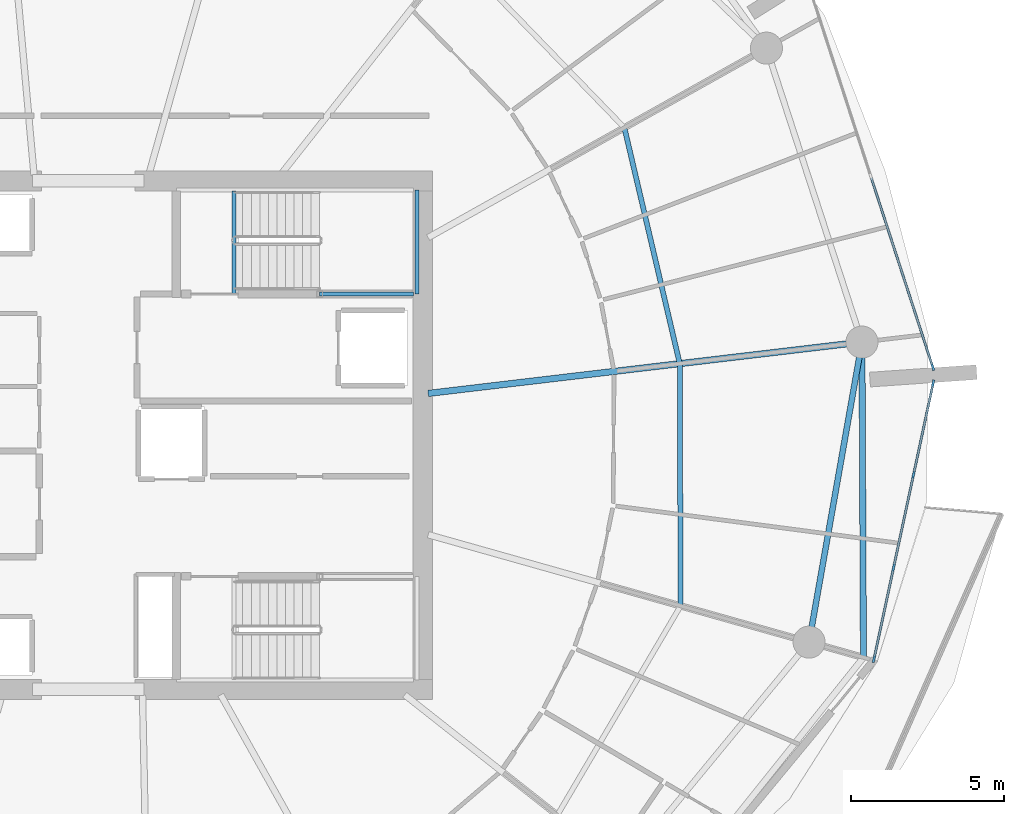
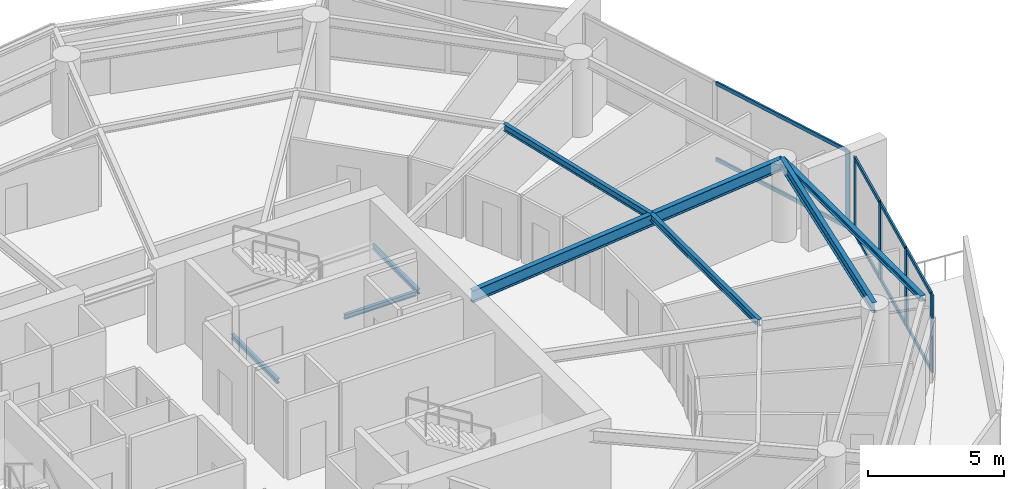
# One storey, part 7 of 20: 13 members, 8 beams, 2 elements without a shape of their own.
"""IFC4 building model written with IfcOpenShell, lengths in metres."""

from ifc_helpers import new_model, si_unit, direction, frame, origin, origin_2d, place, context, subcontext, project, spatial, rectangle, i_section, extrude, material, layer, layer_set, material_profile, profile_set, type_object, element, aggregate, save


model = new_model("IFC4")

# Units and contexts
model_context = context("Model", 3, precision=1e-05, world=origin(), true_north=direction((0.0, 1.0)))
body_context = subcontext(model_context, "Body", "Model", "MODEL_VIEW")
ifc_project = project(units=[si_unit("LENGTHUNIT", "METRE"), si_unit("AREAUNIT", "SQUARE_METRE"), si_unit("VOLUMEUNIT", "CUBIC_METRE"), si_unit("PLANEANGLEUNIT", "RADIAN"), si_unit("MASSUNIT", "GRAM", prefix="KILO")], contexts=[model_context])

# Site, building, storey
site_placement = place(None, origin())
site = spatial("IfcSite", under=ifc_project, at=site_placement, CompositionType="ELEMENT")
building_placement = place(site_placement, origin())
building = spatial("IfcBuilding", under=site, at=building_placement, Name="Kazma Halo Residences", CompositionType="ELEMENT")
storey_placement = place(building_placement, frame((0.0, 0.0, 214.050048828125)))
storey = spatial("IfcBuildingStorey", under=building, at=storey_placement, Name="L54", CompositionType="ELEMENT", Elevation=214.050048828125)

# Beams
ifc_material_1 = material(Name="Steel S355", Category="steel")
ifc_material_profile_1 = material_profile(ifc_material_1, i_section(OverallWidth=0.201904296875, OverallDepth=0.2470703125, WebThickness=0.00732421875, FlangeThickness=0.010986328125, FilletRadius=0.011962890625, at=origin_2d()), Name="W250x49.1")
ifc_profile_set_1 = profile_set([ifc_material_profile_1], Name="Steel S355")
beam_type_1 = type_object("IfcBeamType", Name="BM-BAL-CANT", PredefinedType="BEAM", material=ifc_profile_set_1)
beam_1_placement = place(storey_placement, frame((73.80029296875, 34.723388671875, 3.37646484375), z_axis=(-0.004705663334, 0.999988928305, 0.0), x_axis=(-0.999988928305, -0.004705663334, 0.0)))
element("IfcBeam", 1, at=beam_1_placement, inside=storey, type_object=beam_type_1, Name="L54 wave-balcony tie beam 15", PredefinedType="BEAM", context=body_context, shape_type="SweptSolid", body=[
    extrude(i_section(OverallWidth=0.201904296875, OverallDepth=0.2470703125, WebThickness=0.00732421875, FlangeThickness=0.010986328125, FilletRadius=0.011962890625, at=origin_2d()), origin(), (0.0, 0.0, 1.0), 10.324462890625),
])
ifc_material_profile_2 = material_profile(ifc_material_1, i_section(OverallWidth=0.208984375, OverallDepth=0.532958984375, WebThickness=0.01025390625, FlangeThickness=0.015625, FilletRadius=0.01611328125, at=origin_2d()), Name="W530x92")
ifc_profile_set_2 = profile_set([ifc_material_profile_2], Name="Steel S355")
beam_type_2 = type_object("IfcBeamType", Name="BM-RAD-W530", PredefinedType="BEAM", material=ifc_profile_set_2)
beam_2_placement = place(storey_placement, frame((59.550048828125, 43.366943359375, 3.2333984375), z_axis=(0.993068204292, 0.117539532174, 0.0), x_axis=(-0.117539532174, 0.993068204292, 0.0)))
element("IfcBeam", 2, at=beam_2_placement, inside=storey, type_object=beam_type_2, Name="L54 radial floor beam 16", PredefinedType="BEAM", context=body_context, shape_type="SweptSolid", body=[
    extrude(i_section(OverallWidth=0.208984375, OverallDepth=0.532958984375, WebThickness=0.01025390625, FlangeThickness=0.015625, FilletRadius=0.01611328125, at=origin_2d()), origin(), (0.0, 0.0, 1.0), 14.30078125),
])
ifc_material_profile_3 = material_profile(ifc_material_1, i_section(OverallWidth=0.1650390625, OverallDepth=0.31005859375, WebThickness=0.005859375, FlangeThickness=0.009765625, FilletRadius=0.011962890625, at=origin_2d()), Name="W310x38.7")
ifc_profile_set_3 = profile_set([ifc_material_profile_3], Name="Steel S355")
beam_type_3 = type_object("IfcBeamType", Name="BM-SEC-W310B", PredefinedType="JOIST", material=ifc_profile_set_3)
beam_3_placement = place(storey_placement, frame((67.815185546875, 36.41162109375, 3.344970703125), z_axis=(-0.003540400199, 0.999993732764, 0.0), x_axis=(-0.999993732764, -0.003540400199, 0.0)))
element("IfcBeam", 3, at=beam_3_placement, inside=storey, type_object=beam_type_3, Name="L54 circumferential floor joist 15", PredefinedType="JOIST", context=body_context, shape_type="SweptSolid", body=[
    extrude(i_section(OverallWidth=0.1650390625, OverallDepth=0.31005859375, WebThickness=0.005859375, FlangeThickness=0.009765625, FilletRadius=0.011962890625, at=origin_2d()), origin(), (0.0, 0.0, 1.0), 7.93017578125),
])
beam_4_placement = place(storey_placement, frame((67.787109375, 44.341796875, 3.344970703125), z_axis=(-0.228572787048, 0.973526826041, 0.0), x_axis=(-0.973526826041, -0.228572787048, 0.0)))
element("IfcBeam", 4, at=beam_4_placement, inside=storey, type_object=beam_type_3, Name="L54 circumferential floor joist 16", PredefinedType="JOIST", context=body_context, shape_type="SweptSolid", body=[
    extrude(i_section(OverallWidth=0.1650390625, OverallDepth=0.31005859375, WebThickness=0.005859375, FlangeThickness=0.009765625, FilletRadius=0.011962890625, at=origin_2d()), origin(), (0.0, 0.0, 1.0), 7.933837890625),
])
ifc_material_profile_4 = material_profile(ifc_material_1, i_section(OverallWidth=0.18994140625, OverallDepth=0.45703125, WebThickness=0.009033203125, FlangeThickness=0.014404296875, FilletRadius=0.01611328125, at=origin_2d()), Name="W460x74")
ifc_profile_set_4 = profile_set([ifc_material_profile_4], Name="Steel S355")
beam_type_4 = type_object("IfcBeamType", Name="BM-SPN-W460", PredefinedType="BEAM", material=ifc_profile_set_4)
beam_5_placement = place(storey_placement, frame((72.019775390625, 35.2255859375, 3.271484375), z_axis=(0.173648484202, 0.984807698962, 0.0), x_axis=(-0.984807698962, 0.173648484202, 0.0)))
element("IfcBeam", 5, at=beam_5_placement, inside=storey, type_object=beam_type_4, Name="L54 perimeter ring beam 15", PredefinedType="BEAM", context=body_context, shape_type="SweptSolid", body=[
    extrude(i_section(OverallWidth=0.18994140625, OverallDepth=0.45703125, WebThickness=0.009033203125, FlangeThickness=0.014404296875, FilletRadius=0.01611328125, at=origin_2d()), origin(), (0.0, 0.0, 1.0), 9.973876953125),
])
ifc_material_profile_5 = material_profile(ifc_material_1, i_section(OverallWidth=0.133056640625, OverallDepth=0.20703125, WebThickness=0.005859375, FlangeThickness=0.00830078125, FilletRadius=0.010009765625, at=origin_2d()), Name="W200x26.6")
ifc_profile_set_5 = profile_set([ifc_material_profile_5], Name="Steel S355")
beam_type_5 = type_object("IfcBeamType", Name="BM-TRIM-W200", PredefinedType="BEAM", material=ifc_profile_set_5)
beam_6_placement = place(storey_placement, frame((53.199951171875, 46.6201171875, -0.360107421875), z_axis=(0.0, 1.0, 0.0), x_axis=(-1.0, 0.0, 0.0)))
element("IfcBeam", 6, at=beam_6_placement, inside=storey, type_object=beam_type_5, Name="L54 ST-02 floor landing support beam", PredefinedType="BEAM", context=body_context, shape_type="SweptSolid", body=[
    extrude(i_section(OverallWidth=0.133056640625, OverallDepth=0.20703125, WebThickness=0.005859375, FlangeThickness=0.00830078125, FilletRadius=0.010009765625, at=origin_2d()), origin(), (0.0, 0.0, 1.0), 3.3798828125),
])
beam_7_placement = place(storey_placement, frame((56.0, 46.6201171875, 1.570068359375), z_axis=(1.0, 0.0, 0.0), x_axis=(0.0, 1.0, 0.0)))
element("IfcBeam", 7, at=beam_7_placement, inside=storey, type_object=beam_type_5, Name="L54 ST-02 landing south wall ledger", PredefinedType="BEAM", context=body_context, shape_type="SweptSolid", body=[
    extrude(i_section(OverallWidth=0.133056640625, OverallDepth=0.20703125, WebThickness=0.005859375, FlangeThickness=0.00830078125, FilletRadius=0.010009765625, at=origin_2d()), origin(), (0.0, 0.0, 1.0), 3.070068359375),
])
beam_8_placement = place(storey_placement, frame((59.18994140625, 46.6201171875, 1.570068359375), z_axis=(0.0, 1.0, 0.0), x_axis=(-1.0, 0.0, 0.0)))
element("IfcBeam", 8, at=beam_8_placement, inside=storey, type_object=beam_type_5, Name="L54 ST-02 landing end wall ledger", PredefinedType="BEAM", context=body_context, shape_type="SweptSolid", body=[
    extrude(i_section(OverallWidth=0.133056640625, OverallDepth=0.20703125, WebThickness=0.005859375, FlangeThickness=0.00830078125, FilletRadius=0.010009765625, at=origin_2d()), origin(), (0.0, 0.0, 1.0), 3.39990234375),
])

# Curtain wall, members
ifc_material_2 = material(Name="Aluminium AW-6063 T6 and Triple-Silver Low-E Glass", Category="aluminium")
ifc_layer = layer(ifc_material_2, 0.219970703125)
ifc_layer_set = layer_set([ifc_layer], Name="Aluminium AW-6063 T6 and Triple-Silver Low-E Glass")
curtain_wall_type = type_object("IfcCurtainWallType", Name="CW-SYS-4", PredefinedType="NOTDEFINED", material=ifc_layer_set)
curtain_wall_1_placement = place(storey_placement, origin())
curtain_wall_1 = element("IfcCurtainWall", 9, at=curtain_wall_1_placement, inside=storey, type_object=curtain_wall_type, Name="L54 unitised curtain wall B15", PredefinedType="NOTDEFINED")
ifc_material_3 = material(Name="Aluminium AW-6063 T6", Category="aluminium")
ifc_material_profile_6 = material_profile(ifc_material_3, rectangle(XDim=0.074951171875, YDim=0.219970703125, at=origin_2d()), Name="CWM-75x220")
ifc_profile_set_6 = profile_set([ifc_material_profile_6], Name="Aluminium AW-6063 T6")
member_type_1 = type_object("IfcMemberType", Name="CW-SYS-4-MUL", PredefinedType="MULLION", material=ifc_profile_set_6)
member_1_placement = place(storey_placement, frame((74.1435546875, 34.665771484375, 0.0), z_axis=(0.0, 0.0, 1.0), x_axis=(-0.977768017212, 0.209689543175, 0.0)))
member_1 = element("IfcMember", 10, at=member_1_placement, type_object=member_type_1, Name="CWS-4 mullion 1", PredefinedType="MULLION", context=body_context, shape_type="SweptSolid", body=[
    extrude(rectangle(XDim=0.074951171875, YDim=0.219970703125, at=origin_2d()), origin(), (0.0, 0.0, 1.0), 3.5),
])
member_2_placement = place(storey_placement, frame((74.787109375, 37.6669921875, 0.0), z_axis=(0.0, 0.0, 1.0), x_axis=(-0.977768017212, 0.209689543175, 0.0)))
member_2 = element("IfcMember", 11, at=member_2_placement, type_object=member_type_1, Name="CWS-4 mullion 2", PredefinedType="MULLION", context=body_context, shape_type="SweptSolid", body=[
    extrude(rectangle(XDim=0.074951171875, YDim=0.219970703125, at=origin_2d()), origin(), (0.0, 0.0, 1.0), 3.5),
])
member_3_placement = place(storey_placement, frame((75.438720703125, 40.704833984375, 0.0), z_axis=(0.0, 0.0, 1.0), x_axis=(-0.977768017212, 0.209689543175, 0.0)))
member_3 = element("IfcMember", 12, at=member_3_placement, type_object=member_type_1, Name="CWS-4 mullion 3", PredefinedType="MULLION", context=body_context, shape_type="SweptSolid", body=[
    extrude(rectangle(XDim=0.074951171875, YDim=0.219970703125, at=origin_2d()), origin(), (0.0, 0.0, 1.0), 3.5),
])
member_4_placement = place(storey_placement, frame((76.082275390625, 43.7060546875, 0.0), z_axis=(0.0, 0.0, 1.0), x_axis=(-0.977768017212, 0.209689543175, 0.0)))
member_4 = element("IfcMember", 13, at=member_4_placement, type_object=member_type_1, Name="CWS-4 mullion 4", PredefinedType="MULLION", context=body_context, shape_type="SweptSolid", body=[
    extrude(rectangle(XDim=0.074951171875, YDim=0.219970703125, at=origin_2d()), origin(), (0.0, 0.0, 1.0), 3.5),
])

# Curtain wall, member
curtain_wall_2_placement = place(storey_placement, origin())
curtain_wall_2 = element("IfcCurtainWall", 14, at=curtain_wall_2_placement, inside=storey, type_object=curtain_wall_type, Name="L54 unitised curtain wall B16", PredefinedType="NOTDEFINED")
member_5_placement = place(storey_placement, frame((76.0712890625, 44.22119140625, 0.0), z_axis=(0.0, 0.0, 1.0), x_axis=(-0.951056893636, -0.309015833038, 0.0)))
member_5 = element("IfcMember", 15, at=member_5_placement, type_object=member_type_1, Name="CWS-4 mullion 1", PredefinedType="MULLION", context=body_context, shape_type="SweptSolid", body=[
    extrude(rectangle(XDim=0.074951171875, YDim=0.219970703125, at=origin_2d()), origin(), (0.0, 0.0, 1.0), 3.5),
])

# Member
ifc_material_profile_7 = material_profile(ifc_material_3, rectangle(XDim=0.074951171875, YDim=0.1650390625, at=origin_2d()), Name="CWT-75x165")
ifc_profile_set_7 = profile_set([ifc_material_profile_7], Name="Aluminium AW-6063 T6")
member_type_2 = type_object("IfcMemberType", Name="CW-SYS-4-TRN", PredefinedType="USERDEFINED", material=ifc_profile_set_7)
member_6_placement = place(storey_placement, frame((74.1513671875, 34.702392578125, 0.037353515625), z_axis=(0.209707268418, 0.977764215735, 0.0), x_axis=(-0.977764215735, 0.209707268418, 0.0)))
member_6 = element("IfcMember", 16, at=member_6_placement, type_object=member_type_2, Name="CWS-4 transom 1.1", ObjectType="TRANSOM", PredefinedType="USERDEFINED", context=body_context, shape_type="SweptSolid", body=[
    extrude(rectangle(XDim=0.074951171875, YDim=0.1650390625, at=origin_2d()), origin(), (0.0, 0.0, 1.0), 2.994384765625),
])

member_7_placement = place(storey_placement, frame((74.1513671875, 34.702392578125, 3.46240234375), z_axis=(0.209707268418, 0.977764215735, 0.0), x_axis=(-0.977764215735, 0.209707268418, 0.0)))
member_7 = element("IfcMember", 17, at=member_7_placement, type_object=member_type_2, Name="CWS-4 transom 1.2", ObjectType="TRANSOM", PredefinedType="USERDEFINED", context=body_context, shape_type="SweptSolid", body=[
    extrude(rectangle(XDim=0.074951171875, YDim=0.1650390625, at=origin_2d()), origin(), (0.0, 0.0, 1.0), 2.994384765625),
])

member_8_placement = place(storey_placement, frame((74.794921875, 37.70361328125, 0.037353515625), z_axis=(0.209677559804, 0.977770587057, 0.0), x_axis=(-0.977770587057, 0.209677559804, 0.0)))
member_8 = element("IfcMember", 18, at=member_8_placement, type_object=member_type_2, Name="CWS-4 transom 2.1", ObjectType="TRANSOM", PredefinedType="USERDEFINED", context=body_context, shape_type="SweptSolid", body=[
    extrude(rectangle(XDim=0.074951171875, YDim=0.1650390625, at=origin_2d()), origin(), (0.0, 0.0, 1.0), 3.031982421875),
])

member_9_placement = place(storey_placement, frame((74.794921875, 37.70361328125, 3.46240234375), z_axis=(0.209677559804, 0.977770587057, 0.0), x_axis=(-0.977770587057, 0.209677559804, 0.0)))
member_9 = element("IfcMember", 19, at=member_9_placement, type_object=member_type_2, Name="CWS-4 transom 2.2", ObjectType="TRANSOM", PredefinedType="USERDEFINED", context=body_context, shape_type="SweptSolid", body=[
    extrude(rectangle(XDim=0.074951171875, YDim=0.1650390625, at=origin_2d()), origin(), (0.0, 0.0, 1.0), 3.031982421875),
])

member_10_placement = place(storey_placement, frame((75.446533203125, 40.741455078125, 0.037353515625), z_axis=(0.209690551496, 0.97776780097, 0.0), x_axis=(-0.97776780097, 0.209690551496, 0.0)))
member_10 = element("IfcMember", 20, at=member_10_placement, type_object=member_type_2, Name="CWS-4 transom 3.1", ObjectType="TRANSOM", PredefinedType="USERDEFINED", context=body_context, shape_type="SweptSolid", body=[
    extrude(rectangle(XDim=0.074951171875, YDim=0.1650390625, at=origin_2d()), origin(), (0.0, 0.0, 1.0), 2.99462890625),
])

member_11_placement = place(storey_placement, frame((75.446533203125, 40.741455078125, 3.46240234375), z_axis=(0.209690551496, 0.97776780097, 0.0), x_axis=(-0.97776780097, 0.209690551496, 0.0)))
member_11 = element("IfcMember", 21, at=member_11_placement, type_object=member_type_2, Name="CWS-4 transom 3.2", ObjectType="TRANSOM", PredefinedType="USERDEFINED", context=body_context, shape_type="SweptSolid", body=[
    extrude(rectangle(XDim=0.074951171875, YDim=0.1650390625, at=origin_2d()), origin(), (0.0, 0.0, 1.0), 2.99462890625),
])

aggregate(curtain_wall_1, [member_1, member_2, member_3, member_4, member_6, member_7, member_8, member_9, member_10, member_11])

member_12_placement = place(storey_placement, frame((76.0595703125, 44.2568359375, 0.037353515625), z_axis=(-0.30902650142, 0.951053427217, 0.0), x_axis=(-0.951053427217, -0.30902650142, 0.0)))
member_12 = element("IfcMember", 22, at=member_12_placement, type_object=member_type_2, Name="CWS-4 transom 1.1", ObjectType="TRANSOM", PredefinedType="USERDEFINED", context=body_context, shape_type="SweptSolid", body=[
    extrude(rectangle(XDim=0.074951171875, YDim=0.1650390625, at=origin_2d()), origin(), (0.0, 0.0, 1.0), 6.487060546875),
])

member_13_placement = place(storey_placement, frame((76.0595703125, 44.2568359375, 3.46240234375), z_axis=(-0.30902650142, 0.951053427217, 0.0), x_axis=(-0.951053427217, -0.30902650142, 0.0)))
member_13 = element("IfcMember", 23, at=member_13_placement, type_object=member_type_2, Name="CWS-4 transom 1.2", ObjectType="TRANSOM", PredefinedType="USERDEFINED", context=body_context, shape_type="SweptSolid", body=[
    extrude(rectangle(XDim=0.074951171875, YDim=0.1650390625, at=origin_2d()), origin(), (0.0, 0.0, 1.0), 6.487060546875),
])

aggregate(curtain_wall_2, [member_5, member_12, member_13])

save(model, "model.ifc")
